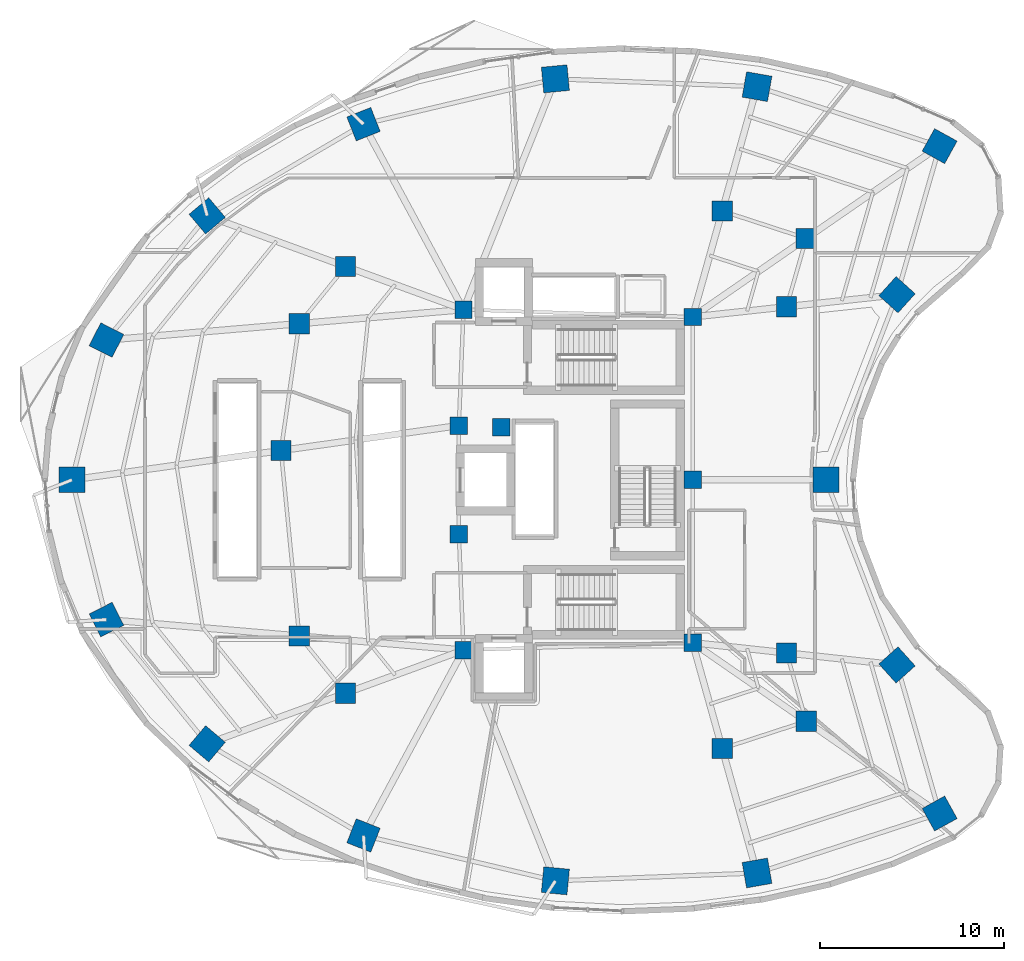
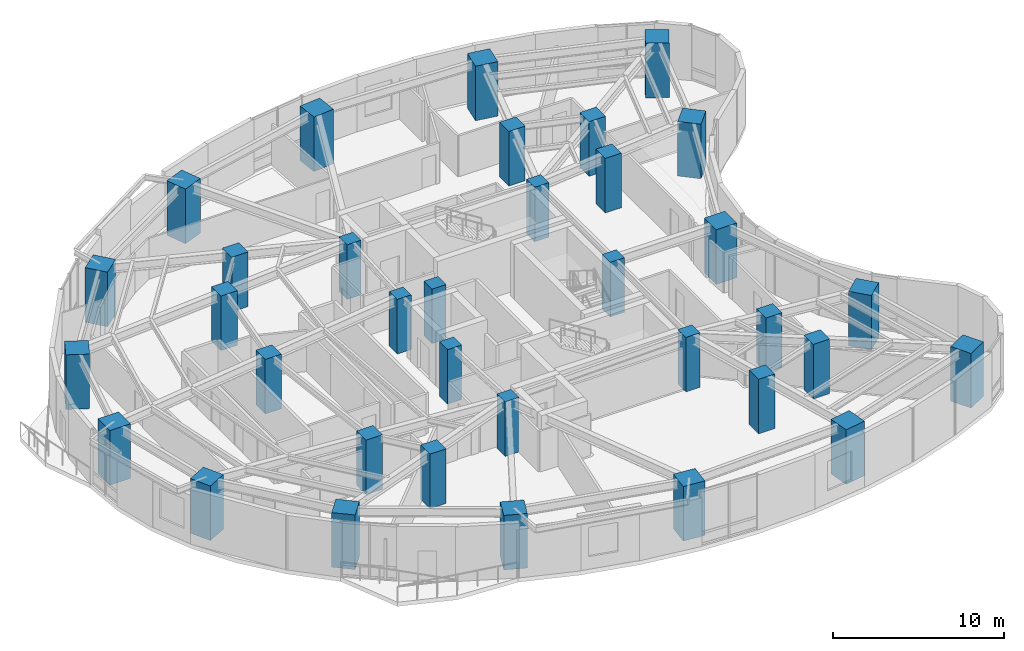
# One storey, part 1 of 14: 35 columns.
"""IFC4 building model written with IfcOpenShell, lengths in metres."""

from ifc_helpers import new_model, si_unit, direction, frame, origin, origin_2d, place, context, subcontext, project, spatial, rectangle, extrude, material, material_profile, profile_set, type_object, element, save


model = new_model("IFC4")

# Units and contexts
model_context = context("Model", 3, precision=1e-05, world=origin(), true_north=direction((0.0, 1.0)))
body_context = subcontext(model_context, "Body", "Model", "MODEL_VIEW")
ifc_project = project(units=[si_unit("LENGTHUNIT", "METRE"), si_unit("AREAUNIT", "SQUARE_METRE"), si_unit("VOLUMEUNIT", "CUBIC_METRE"), si_unit("PLANEANGLEUNIT", "RADIAN"), si_unit("MASSUNIT", "GRAM", prefix="KILO")], contexts=[model_context])

# Site, building, storey
site_placement = place(None, origin())
site = spatial("IfcSite", under=ifc_project, at=site_placement, CompositionType="ELEMENT")
building_placement = place(site_placement, origin())
building = spatial("IfcBuilding", under=site, at=building_placement, Name="Korentha Bioscience Tower", CompositionType="ELEMENT")
storey_placement = place(building_placement, frame((0.0, 0.0, 51.0)))
storey = spatial("IfcBuildingStorey", under=building, at=storey_placement, Name="L11", CompositionType="ELEMENT", Elevation=51.0)

# Columns
ifc_material_1 = material(Name="Concrete C65", Category="concrete")
ifc_material_profile_1 = material_profile(ifc_material_1, rectangle(XDim=0.949951171875, YDim=0.949951171875, at=origin_2d()), Name="Concrete C65")
ifc_profile_set_1 = profile_set([ifc_material_profile_1], Name="Concrete C65 (COL-CP09)")
column_type_1 = type_object("IfcColumnType", Name="Core Pilaster Column RC 950x950", PredefinedType="PILASTER", material=ifc_profile_set_1)
for number, where, z_axis, x_axis, name in (
    (1, (37.550048828125, 35.85009765625, -0.00048828125), (0.0, 0.0, 1.0), (1.0, 0.0, 0.0), "L11 Core Pilaster CP-01"),
    (2, (25.10009765625, 36.25, -0.00048828125), (0.0, 0.0, 1.0), (1.0, 0.0, 0.0), "L11 Core Pilaster CP-02"),
    (3, (24.85009765625, 29.949951171875, -0.00048828125), (0.0, 0.0, 1.0), (1.0, 0.0, 0.0), "L11 Core Pilaster CP-03"),
    (4, (27.14990234375, 29.85009765625, -0.00048828125), (0.0, 0.0, 1.0), (1.0, 0.0, 0.0), "L11 Core Pilaster CP-04"),
    (5, (24.85009765625, 24.050048828125, -0.00048828125), (0.0, 0.0, 1.0), (1.0, 0.0, 0.0), "L11 Core Pilaster CP-05"),
    (6, (25.10009765625, 17.75, -0.00048828125), (0.0, 0.0, 1.0), (1.0, 0.0, 0.0), "L11 Core Pilaster CP-06"),
    (7, (37.550048828125, 18.14990234375, -0.00048828125), (0.0, 0.0, 1.0), (1.0, 0.0, 0.0), "L11 Core Pilaster CP-07"),
    (8, (37.550048828125, 27.0, -0.00048828125), (0.0, 0.0, 1.0), (1.0, 0.0, 0.0), "L11 Core Pilaster CP-08"),
):
    element("IfcColumn", number, at=place(storey_placement, frame(where, z_axis=z_axis, x_axis=x_axis)), inside=storey, type_object=column_type_1, Name=name, PredefinedType="PILASTER", context=body_context, shape_type="SweptSolid", body=[
        extrude(rectangle(XDim=0.949951171875, YDim=0.949951171875, at=origin_2d()), origin(), (0.0, 0.0, 1.0), 3.90087890625),
    ])
ifc_material_2 = material(Name="Concrete C80", Category="concrete")
ifc_material_profile_2 = material_profile(ifc_material_2, rectangle(XDim=1.10009765625, YDim=1.10009765625, at=origin_2d()), Name="Concrete C80")
ifc_profile_set_2 = profile_set([ifc_material_profile_2], Name="Concrete C80 (COL-MR11)")
column_type_2 = type_object("IfcColumnType", Name="Mid-Ring Lab Column RC 1100x1100", PredefinedType="COLUMN", material=ifc_profile_set_2)
for number, where, z_axis, x_axis, name in (
    (9, (43.7265625, 40.121337890625, -0.00048828125), (0.0, 0.0, 1.0), (1.0, 0.0, 0.0), "L11 Mid-Ring Column 01"),
    (10, (39.1611328125, 41.607666015625, -0.00048828125), (0.0, 0.0, 1.0), (1.0, 0.0, 0.0), "L11 Mid-Ring Column 02"),
    (11, (18.692138671875, 38.5947265625, -0.00048828125), (0.0, 0.0, 1.0), (1.0, 0.0, 0.0), "L11 Mid-Ring Column 05"),
    (12, (16.174072265625, 35.489013671875, -0.00048828125), (0.0, 0.0, 1.0), (1.0, 0.0, 0.0), "L11 Mid-Ring Column 06"),
    (13, (15.1787109375, 28.593505859375, -0.00048828125), (0.0, 0.0, 1.0), (1.0, 0.0, 0.0), "L11 Mid-Ring Column 07"),
    (14, (16.174072265625, 18.510986328125, -0.00048828125), (0.0, 0.0, 1.0), (1.0, 0.0, 0.0), "L11 Mid-Ring Column 08"),
    (15, (18.692138671875, 15.4052734375, -0.00048828125), (0.0, 0.0, 1.0), (1.0, 0.0, 0.0), "L11 Mid-Ring Column 09"),
    (16, (39.1611328125, 12.392333984375, -0.00048828125), (0.0, 0.0, 1.0), (1.0, 0.0, 0.0), "L11 Mid-Ring Column 12"),
    (17, (43.7265625, 13.878662109375, -0.00048828125), (0.0, 0.0, 1.0), (1.0, 0.0, 0.0), "L11 Mid-Ring Column 13"),
    (18, (42.66162109375, 17.593017578125, -0.00048828125), (0.0, 0.0, 1.0), (1.0, 0.0, 0.0), "L11 Mid-Ring Column 14"),
    (19, (42.66162109375, 36.406982421875, -0.00048828125), (0.0, 0.0, 1.0), (1.0, 0.0, 0.0), "L11 Mid-Ring Column 16"),
):
    element("IfcColumn", number, at=place(storey_placement, frame(where, z_axis=z_axis, x_axis=x_axis)), inside=storey, type_object=column_type_2, Name=name, PredefinedType="COLUMN", context=body_context, shape_type="SweptSolid", body=[
        extrude(rectangle(XDim=1.10009765625, YDim=1.10009765625, at=origin_2d()), origin(), (0.0, 0.0, 1.0), 3.90087890625),
    ])
ifc_material_profile_3 = material_profile(ifc_material_2, rectangle(XDim=1.39990234375, YDim=1.39990234375, at=origin_2d()), Name="Concrete C80")
ifc_profile_set_3 = profile_set([ifc_material_profile_3], Name="Concrete C80 (COL-P14)")
column_type_3 = type_object("IfcColumnType", Name="Perimeter Column RC 1400x1400", PredefinedType="COLUMN", material=ifc_profile_set_3)
for number, where, z_axis, x_axis, name in (
    (20, (50.977294921875, 45.135498046875, -0.00048828125), (0.0, 0.0, 1.0), (-0.874535078577, 0.484962262797, 0.0), "L11 Perimeter Column 01"),
    (21, (41.052490234375, 48.36669921875, -0.00048828125), (0.0, 0.0, 1.0), (-0.984868307662, 0.173304404339, 0.0), "L11 Perimeter Column 02"),
    (22, (30.09423828125, 48.79248046875, -0.00048828125), (0.0, 0.0, 1.0), (0.995462868748, 0.095150811579, 0.0), "L11 Perimeter Column 03"),
    (23, (19.66650390625, 46.328857421875, -0.00048828125), (0.0, 0.0, 1.0), (0.930225540858, 0.366988341962, 0.0), "L11 Perimeter Column 04"),
    (24, (11.169921875, 41.34716796875, -0.00048828125), (0.0, 0.0, 1.0), (0.764246456939, 0.644924300253, 0.0), "L11 Perimeter Column 05"),
    (25, (5.69580078125, 34.595703125, -0.00048828125), (0.0, 0.0, 1.0), (0.453057191132, 0.891481453292, 0.0), "L11 Perimeter Column 06"),
    (26, (3.825439453125, 27.000732421875, -0.00048828125), (0.0, 0.0, 1.0), (0.0, 1.0, 0.0), "L11 Perimeter Column 07"),
    (27, (5.69580078125, 19.404296875, -0.00048828125), (0.0, 0.0, 1.0), (-0.453057191132, 0.891481453292, 0.0), "L11 Perimeter Column 08"),
    (28, (11.169921875, 12.65283203125, -0.00048828125), (0.0, 0.0, 1.0), (-0.764246456939, 0.644924300253, 0.0), "L11 Perimeter Column 09"),
    (29, (19.66650390625, 7.671142578125, -0.00048828125), (0.0, 0.0, 1.0), (-0.930225540858, 0.366988341962, 0.0), "L11 Perimeter Column 10"),
    (30, (30.09423828125, 5.20751953125, -0.00048828125), (0.0, 0.0, 1.0), (-0.995462868748, 0.095150811579, 0.0), "L11 Perimeter Column 11"),
    (31, (41.052490234375, 5.63330078125, -0.00048828125), (0.0, 0.0, 1.0), (0.984868307662, 0.173304404339, 0.0), "L11 Perimeter Column 12"),
    (32, (50.977294921875, 8.864501953125, -0.00048828125), (0.0, 0.0, 1.0), (0.874535078577, 0.484962262797, 0.0), "L11 Perimeter Column 13"),
    (33, (48.661865234375, 16.939208984375, -0.00048828125), (0.0, 0.0, 1.0), (-0.669130606359, 0.743144825477, 0.0), "L11 Perimeter Column 14"),
    (34, (44.798583984375, 27.0, -0.00048828125), (0.0, 0.0, 1.0), (0.0, 1.0, 0.0), "L11 Perimeter Column 15"),
    (35, (48.661865234375, 37.060791015625, -0.00048828125), (0.0, 0.0, 1.0), (0.669130606359, 0.743144825477, 0.0), "L11 Perimeter Column 16"),
):
    element("IfcColumn", number, at=place(storey_placement, frame(where, z_axis=z_axis, x_axis=x_axis)), inside=storey, type_object=column_type_3, Name=name, PredefinedType="COLUMN", context=body_context, shape_type="SweptSolid", body=[
        extrude(rectangle(XDim=1.39990234375, YDim=1.39990234375, at=origin_2d()), origin(), (0.0, 0.0, 1.0), 3.90087890625),
    ])

save(model, "model.ifc")
